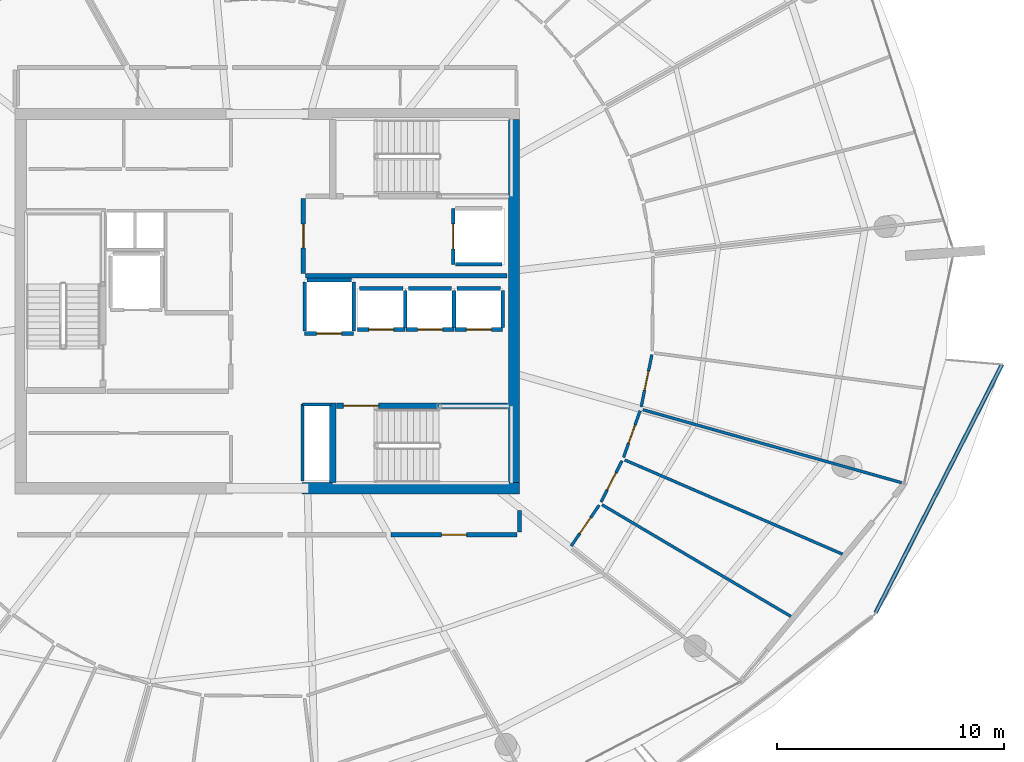
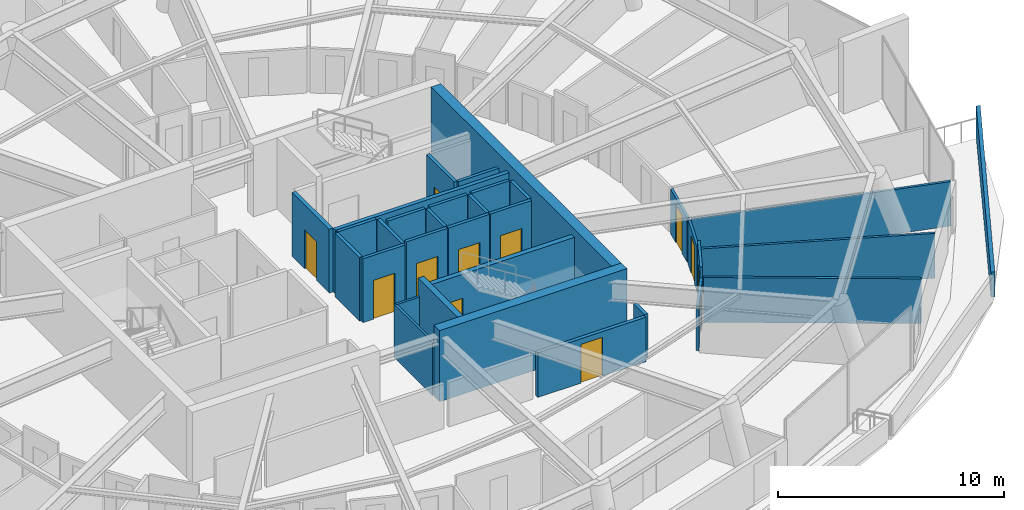
# One storey, part 20 of 30: 33 walls, 12 doors, 12 openings.
"""IFC4 building model written with IfcOpenShell, lengths in metres."""

from ifc_helpers import new_model, si_unit, direction, frame, frame_2d, origin, place, context, subcontext, project, spatial, polyline, rectangle, outline, extrude, material, layer, layer_set, type_object, element, fill, save


model = new_model("IFC4")

# Units and contexts
model_context = context("Model", 3, precision=1e-05, world=origin(), true_north=direction((0.0, 1.0)))
body_context = subcontext(model_context, "Body", "Model", "MODEL_VIEW")
ifc_project = project(units=[si_unit("LENGTHUNIT", "METRE"), si_unit("AREAUNIT", "SQUARE_METRE"), si_unit("VOLUMEUNIT", "CUBIC_METRE"), si_unit("PLANEANGLEUNIT", "RADIAN"), si_unit("MASSUNIT", "GRAM", prefix="KILO")], contexts=[model_context])

# Site, building, storey
site_placement = place(None, origin())
site = spatial("IfcSite", under=ifc_project, at=site_placement, CompositionType="ELEMENT")
building_placement = place(site_placement, origin())
building = spatial("IfcBuilding", under=site, at=building_placement, Name="Kazma Halo Residences", CompositionType="ELEMENT")
storey_placement = place(building_placement, frame((0.0, 0.0, 302.14990234375)))
storey = spatial("IfcBuildingStorey", under=building, at=storey_placement, Name="L76", CompositionType="ELEMENT", Elevation=302.14990234375)

# Walls
ifc_material_1 = material(Name="White Concrete C50/60 Balustrade", Category="concrete")
ifc_layer_1 = layer(ifc_material_1, 0.179931640625)
ifc_layer_set_1 = layer_set([ifc_layer_1], Name="White Concrete C50/60 Balustrade")
wall_type_1 = type_object("IfcWallType", Name="WL-BAL-WAVE-180", PredefinedType="PARAPET", material=ifc_layer_set_1)
wall_1_placement = place(storey_placement, frame((75.241943359375, 28.254150390625, 0.0), z_axis=(0.0, 0.0, 1.0), x_axis=(0.45375182612, 0.891128094211, 0.0)))
element("IfcWall", 1, at=wall_1_placement, inside=storey, type_object=wall_type_1, Name="L76 white wave balustrade wall SE.2", PredefinedType="PARAPET", context=body_context, shape_type="SweptSolid", body=[
    extrude(outline(polyline([(0.0, 0.0), (12.2998046875, 0.0), (12.2998046875, 1.7470703125), (6.14990234375, 1.56201171875), (0.0, 1.34814453125), (0.0, 0.0)])), frame((0.0, 0.08984375, 0.0), z_axis=(0.0, -1.0, 0.0), x_axis=(1.0, 0.0, 0.0)), (0.0, 0.0, 1.0), 0.179931640625),
])
ifc_material_2 = material(Name="Concrete C60/75", Category="concrete")
ifc_layer_2 = layer(ifc_material_2, 0.5)
ifc_layer_set_2 = layer_set([ifc_layer_2], Name="Concrete C60/75")
wall_type_2 = type_object("IfcWallType", Name="WL-CORE-500", PredefinedType="SHEAR", material=ifc_layer_set_2)
wall_2_placement = place(storey_placement, frame((49.949951171875, 33.75, 0.0), z_axis=(0.0, 0.0, 1.0), x_axis=(1.0, 0.0, 0.0)))
element("IfcWall", 2, at=wall_2_placement, inside=storey, type_object=wall_type_2, Name="L76 central core shear wall SE", PredefinedType="SHEAR", context=body_context, shape_type="SweptSolid", body=[
    extrude(rectangle(XDim=9.60009765625, YDim=0.5, at=frame_2d((4.800048828125, 0.0))), origin(), (0.0, 0.0, 1.0), 3.85009765625),
])
wall_3_placement = place(storey_placement, frame((59.300048828125, 34.0, 0.0), z_axis=(0.0, 0.0, 1.0), x_axis=(0.0, 1.0, 0.0)))
element("IfcWall", 3, at=wall_3_placement, inside=storey, type_object=wall_type_2, Name="L76 central core shear wall E", PredefinedType="SHEAR", context=body_context, shape_type="SweptSolid", body=[
    extrude(rectangle(XDim=16.0, YDim=0.5, at=frame_2d((8.0, 0.0))), origin(), (0.0, 0.0, 1.0), 3.85009765625),
])
ifc_layer_3 = layer(ifc_material_2, 0.280029296875)
ifc_layer_set_3 = layer_set([ifc_layer_3], Name="Concrete C60/75")
wall_type_3 = type_object("IfcWallType", Name="WL-CORE-ST-280", PredefinedType="SHEAR", material=ifc_layer_set_3)
wall_4_placement = place(storey_placement, frame((51.31005859375, 34.0, 0.0), z_axis=(0.0, 0.0, 1.0), x_axis=(0.0, 1.0, 0.0)))
element("IfcWall", 4, at=wall_4_placement, inside=storey, type_object=wall_type_3, Name="L76 stairwell bearing wall ST03-W", PredefinedType="SHEAR", context=body_context, shape_type="SweptSolid", body=[
    extrude(rectangle(XDim=3.5, YDim=0.280029296875, at=frame_2d((1.75, 0.0))), origin(), (0.0, 0.0, 1.0), 3.85009765625),
])

# Wall, opening, door
ifc_material_3 = material(Name="Acoustic Twin-Stud Gypsum")
ifc_layer_4 = layer(ifc_material_3, 0.179931640625)
ifc_layer_set_4 = layer_set([ifc_layer_4], Name="Acoustic Twin-Stud Gypsum")
wall_type_4 = type_object("IfcWallType", Name="WL-DEM-180", PredefinedType="PARTITIONING", material=ifc_layer_set_4)
wall_5_placement = place(storey_placement, frame((53.88818359375, 31.699951171875, 0.0), z_axis=(0.0, 0.0, 1.0), x_axis=(1.0, 0.0, 0.0)))
wall_5 = element("IfcWall", 5, at=wall_5_placement, inside=storey, type_object=wall_type_4, Name="L76 Apartment 2 entrance corridor wall", PredefinedType="PARTITIONING", context=body_context, shape_type="SweptSolid", body=[
    extrude(rectangle(XDim=5.541748046875, YDim=0.179931640625, at=frame_2d((2.77099609375, 0.0))), origin(), (0.0, 0.0, 1.0), 2.406982421875),
])
opening_1_placement = place(wall_5_placement, frame((2.220703125, 0.0, 0.0)))
opening_1 = element("IfcOpeningElement", 6, at=opening_1_placement, cuts=wall_5, Name="Opening DA-1100", PredefinedType="OPENING", context=body_context, shape_type="SweptSolid", body=[
    extrude(rectangle(XDim=1.10009765625, YDim=2.10009765625, at=frame_2d((0.550048828125, 1.050048828125))), frame((0.0, 0.099853515625, 0.0), z_axis=(0.0, -1.0, 0.0), x_axis=(1.0, 0.0, 0.0)), (0.0, 0.0, 1.0), 0.199951171875),
])
ifc_material_4 = material(Name="Acoustic Walnut Fire Leaf")
door_type_1 = type_object("IfcDoorType", Name="DR-FD60-1100", OperationType="NOTDEFINED", PredefinedType="DOOR", material=ifc_material_4)
door_1_placement = place(opening_1_placement, origin())
door_1 = element("IfcDoor", 7, at=door_1_placement, inside=storey, type_object=door_type_1, Name="L76 Apartment 2 entrance fire door", OperationType="SINGLE_SWING_LEFT", OverallHeight=2.10009765625, OverallWidth=1.10009765625, PredefinedType="DOOR", context=body_context, shape_type="SweptSolid", body=[
    extrude(rectangle(XDim=1.10009765625, YDim=2.10009765625, at=frame_2d((0.550048828125, 1.050048828125))), frame((0.0, 0.02490234375, 0.0), z_axis=(0.0, -1.0, 0.0), x_axis=(1.0, 0.0, 0.0)), (0.0, 0.0, 1.0), 0.050048828125),
])
fill(opening_1, door_1)

# Wall
wall_6_placement = place(storey_placement, frame((59.550048828125, 31.820068359375, 0.0), z_axis=(0.0, 0.0, 1.0), x_axis=(0.0, 1.0, 0.0)))
element("IfcWall", 8, at=wall_6_placement, inside=storey, type_object=wall_type_4, Name="L76 Apartment 2 entrance corridor wall", PredefinedType="PARTITIONING", context=body_context, shape_type="SweptSolid", body=[
    extrude(rectangle(XDim=0.95458984375, YDim=0.179931640625, at=frame_2d((0.477294921875, 0.0))), origin(), (0.0, 0.0, 1.0), 2.406982421875),
])

# Wall, opening, door
ifc_material_5 = material(Name="Fire-Rated Blockwork Masonry", Category="masonry")
ifc_layer_5 = layer(ifc_material_5, 0.199951171875)
ifc_layer_set_5 = layer_set([ifc_layer_5], Name="Fire-Rated Blockwork Masonry")
wall_type_5 = type_object("IfcWallType", Name="WL-FLB-200", PredefinedType="PARTITIONING", material=ifc_layer_set_5)
wall_7_placement = place(storey_placement, frame((54.5048828125, 40.7451171875, 0.0), z_axis=(0.0, 0.0, 1.0), x_axis=(-1.0, 0.0, 0.0)))
wall_7 = element("IfcWall", 9, at=wall_7_placement, inside=storey, type_object=wall_type_5, Name="L76 lift shaft PH-01 front wall", PredefinedType="PARTITIONING", context=body_context, shape_type="SweptSolid", body=[
    extrude(rectangle(XDim=2.10986328125, YDim=0.159912109375, at=frame_2d((1.054931640625, 0.0))), origin(), (0.0, 0.0, 1.0), 3.4501953125),
])
opening_2_placement = place(wall_7_placement, frame((0.5048828125, 0.0, 0.0)))
opening_2 = element("IfcOpeningElement", 10, at=opening_2_placement, cuts=wall_7, Name="Opening LD-PH-01", PredefinedType="OPENING", context=body_context, shape_type="SweptSolid", body=[
    extrude(rectangle(XDim=1.10009765625, YDim=2.10009765625, at=frame_2d((0.550048828125, 1.050048828125))), frame((0.0, 0.08984375, 0.0), z_axis=(0.0, -1.0, 0.0), x_axis=(1.0, 0.0, 0.0)), (0.0, 0.0, 1.0), 0.179931640625),
])
ifc_material_6 = material(Name="Stainless Steel Fire-Rated", Category="steel")
door_type_2 = type_object("IfcDoorType", Name="DR-LIFT-SLD-1100", OperationType="DOUBLE_DOOR_SLIDING", PredefinedType="DOOR", material=ifc_material_6)
door_2_placement = place(opening_2_placement, origin())
door_2 = element("IfcDoor", 11, at=door_2_placement, inside=storey, type_object=door_type_2, Name="L76 lift PH-01 sliding landing door", OperationType="DOUBLE_DOOR_SLIDING", OverallHeight=2.10009765625, OverallWidth=1.10009765625, PredefinedType="DOOR", context=body_context, shape_type="SweptSolid", body=[
    extrude(rectangle(XDim=1.10009765625, YDim=2.10009765625, at=frame_2d((0.550048828125, 1.050048828125))), frame((0.0, 0.02490234375, 0.0), z_axis=(0.0, -1.0, 0.0), x_axis=(1.0, 0.0, 0.0)), (0.0, 0.0, 1.0), 0.050048828125),
])
fill(opening_2, door_2)

# Walls
wall_8_placement = place(storey_placement, frame((54.5048828125, 40.844970703125, 0.0), z_axis=(0.0, 0.0, 1.0), x_axis=(0.0, 1.0, 0.0)))
element("IfcWall", 12, at=wall_8_placement, inside=storey, type_object=wall_type_5, Name="L76 lift shaft PH-01 side wall E", PredefinedType="PARTITIONING", context=body_context, shape_type="SweptSolid", body=[
    extrude(rectangle(XDim=1.610107421875, YDim=0.159912109375, at=frame_2d((0.80517578125, 0.0))), origin(), (0.0, 0.0, 1.0), 3.4501953125),
])
wall_9_placement = place(storey_placement, frame((52.4951171875, 42.554931640625, 0.0), z_axis=(0.0, 0.0, 1.0), x_axis=(1.0, 0.0, 0.0)))
element("IfcWall", 13, at=wall_9_placement, inside=storey, type_object=wall_type_5, Name="L76 lift shaft PH-01 side wall N", PredefinedType="PARTITIONING", context=body_context, shape_type="SweptSolid", body=[
    extrude(rectangle(XDim=1.909912109375, YDim=0.159912109375, at=frame_2d((0.955078125, 0.0))), origin(), (0.0, 0.0, 1.0), 3.4501953125),
])

# Wall, opening, door
wall_10_placement = place(storey_placement, frame((56.655029296875, 40.7451171875, 0.0), z_axis=(0.0, 0.0, 1.0), x_axis=(-1.0, 0.0, 0.0)))
wall_10 = element("IfcWall", 14, at=wall_10_placement, inside=storey, type_object=wall_type_5, Name="L76 lift shaft PH-02 front wall", PredefinedType="PARTITIONING", context=body_context, shape_type="SweptSolid", body=[
    extrude(rectangle(XDim=2.110107421875, YDim=0.159912109375, at=frame_2d((1.05517578125, 0.0))), origin(), (0.0, 0.0, 1.0), 3.4501953125),
])
opening_3_placement = place(wall_10_placement, frame((0.5048828125, 0.0, 0.0)))
opening_3 = element("IfcOpeningElement", 15, at=opening_3_placement, cuts=wall_10, Name="Opening LD-PH-02", PredefinedType="OPENING", context=body_context, shape_type="SweptSolid", body=[
    extrude(rectangle(XDim=1.10009765625, YDim=2.10009765625, at=frame_2d((0.550048828125, 1.050048828125))), frame((0.0, 0.08984375, 0.0), z_axis=(0.0, -1.0, 0.0), x_axis=(1.0, 0.0, 0.0)), (0.0, 0.0, 1.0), 0.179931640625),
])
door_3_placement = place(opening_3_placement, origin())
door_3 = element("IfcDoor", 16, at=door_3_placement, inside=storey, type_object=door_type_2, Name="L76 lift PH-02 sliding landing door", OperationType="DOUBLE_DOOR_SLIDING", OverallHeight=2.10009765625, OverallWidth=1.10009765625, PredefinedType="DOOR", context=body_context, shape_type="SweptSolid", body=[
    extrude(rectangle(XDim=1.10009765625, YDim=2.10009765625, at=frame_2d((0.550048828125, 1.050048828125))), frame((0.0, 0.02490234375, 0.0), z_axis=(0.0, -1.0, 0.0), x_axis=(1.0, 0.0, 0.0)), (0.0, 0.0, 1.0), 0.050048828125),
])
fill(opening_3, door_3)

# Walls
wall_11_placement = place(storey_placement, frame((56.655029296875, 40.844970703125, 0.0), z_axis=(0.0, 0.0, 1.0), x_axis=(0.0, 1.0, 0.0)))
element("IfcWall", 17, at=wall_11_placement, inside=storey, type_object=wall_type_5, Name="L76 lift shaft PH-02 side wall E", PredefinedType="PARTITIONING", context=body_context, shape_type="SweptSolid", body=[
    extrude(rectangle(XDim=1.610107421875, YDim=0.159912109375, at=frame_2d((0.80517578125, 0.0))), origin(), (0.0, 0.0, 1.0), 3.4501953125),
])
wall_12_placement = place(storey_placement, frame((54.64501953125, 42.554931640625, 0.0), z_axis=(0.0, 0.0, 1.0), x_axis=(1.0, 0.0, 0.0)))
element("IfcWall", 18, at=wall_12_placement, inside=storey, type_object=wall_type_5, Name="L76 lift shaft PH-02 side wall N", PredefinedType="PARTITIONING", context=body_context, shape_type="SweptSolid", body=[
    extrude(rectangle(XDim=1.909912109375, YDim=0.159912109375, at=frame_2d((0.955078125, 0.0))), origin(), (0.0, 0.0, 1.0), 3.4501953125),
])

# Wall, opening, door
wall_13_placement = place(storey_placement, frame((58.804931640625, 40.7451171875, 0.0), z_axis=(0.0, 0.0, 1.0), x_axis=(-1.0, 0.0, 0.0)))
wall_13 = element("IfcWall", 19, at=wall_13_placement, inside=storey, type_object=wall_type_5, Name="L76 lift shaft PH-03 front wall", PredefinedType="PARTITIONING", context=body_context, shape_type="SweptSolid", body=[
    extrude(rectangle(XDim=2.10986328125, YDim=0.159912109375, at=frame_2d((1.054931640625, 0.0))), origin(), (0.0, 0.0, 1.0), 3.4501953125),
])
opening_4_placement = place(wall_13_placement, frame((0.5048828125, 0.0, 0.0)))
opening_4 = element("IfcOpeningElement", 20, at=opening_4_placement, cuts=wall_13, Name="Opening LD-PH-03", PredefinedType="OPENING", context=body_context, shape_type="SweptSolid", body=[
    extrude(rectangle(XDim=1.10009765625, YDim=2.10009765625, at=frame_2d((0.550048828125, 1.050048828125))), frame((0.0, 0.08984375, 0.0), z_axis=(0.0, -1.0, 0.0), x_axis=(1.0, 0.0, 0.0)), (0.0, 0.0, 1.0), 0.179931640625),
])
door_4_placement = place(opening_4_placement, origin())
door_4 = element("IfcDoor", 21, at=door_4_placement, inside=storey, type_object=door_type_2, Name="L76 lift PH-03 sliding landing door", OperationType="DOUBLE_DOOR_SLIDING", OverallHeight=2.10009765625, OverallWidth=1.10009765625, PredefinedType="DOOR", context=body_context, shape_type="SweptSolid", body=[
    extrude(rectangle(XDim=1.10009765625, YDim=2.10009765625, at=frame_2d((0.550048828125, 1.050048828125))), frame((0.0, 0.02490234375, 0.0), z_axis=(0.0, -1.0, 0.0), x_axis=(1.0, 0.0, 0.0)), (0.0, 0.0, 1.0), 0.050048828125),
])
fill(opening_4, door_4)

# Walls
wall_14_placement = place(storey_placement, frame((58.804931640625, 40.844970703125, 0.0), z_axis=(0.0, 0.0, 1.0), x_axis=(0.0, 1.0, 0.0)))
element("IfcWall", 22, at=wall_14_placement, inside=storey, type_object=wall_type_5, Name="L76 lift shaft PH-03 side wall E", PredefinedType="PARTITIONING", context=body_context, shape_type="SweptSolid", body=[
    extrude(rectangle(XDim=1.610107421875, YDim=0.159912109375, at=frame_2d((0.80517578125, 0.0))), origin(), (0.0, 0.0, 1.0), 3.4501953125),
])
wall_15_placement = place(storey_placement, frame((56.794921875, 42.554931640625, 0.0), z_axis=(0.0, 0.0, 1.0), x_axis=(1.0, 0.0, 0.0)))
element("IfcWall", 23, at=wall_15_placement, inside=storey, type_object=wall_type_5, Name="L76 lift shaft PH-03 side wall N", PredefinedType="PARTITIONING", context=body_context, shape_type="SweptSolid", body=[
    extrude(rectangle(XDim=1.91015625, YDim=0.159912109375, at=frame_2d((0.955078125, 0.0))), origin(), (0.0, 0.0, 1.0), 3.4501953125),
])

# Wall, opening, door
wall_16_placement = place(storey_placement, frame((56.6201171875, 46.080078125, 0.0), z_axis=(0.0, 0.0, 1.0), x_axis=(0.0, -1.0, 0.0)))
wall_16 = element("IfcWall", 24, at=wall_16_placement, inside=storey, type_object=wall_type_5, Name="L76 lift shaft FL-02 front wall", PredefinedType="PARTITIONING", context=body_context, shape_type="SweptSolid", body=[
    extrude(rectangle(XDim=2.4599609375, YDim=0.159912109375, at=frame_2d((1.22998046875, 0.0))), origin(), (0.0, 0.0, 1.0), 3.4501953125),
])
opening_5_placement = place(wall_16_placement, frame((0.679931640625, 0.0, 0.0)))
opening_5 = element("IfcOpeningElement", 25, at=opening_5_placement, cuts=wall_16, Name="Opening LD-FL-02", PredefinedType="OPENING", context=body_context, shape_type="SweptSolid", body=[
    extrude(rectangle(XDim=1.10009765625, YDim=2.10009765625, at=frame_2d((0.550048828125, 1.050048828125))), frame((0.0, 0.08984375, 0.0), z_axis=(0.0, -1.0, 0.0), x_axis=(1.0, 0.0, 0.0)), (0.0, 0.0, 1.0), 0.179931640625),
])
door_5_placement = place(opening_5_placement, origin())
door_5 = element("IfcDoor", 26, at=door_5_placement, inside=storey, type_object=door_type_2, Name="L76 lift FL-02 sliding landing door", OperationType="DOUBLE_DOOR_SLIDING", OverallHeight=2.10009765625, OverallWidth=1.10009765625, PredefinedType="DOOR", context=body_context, shape_type="SweptSolid", body=[
    extrude(rectangle(XDim=1.10009765625, YDim=2.10009765625, at=frame_2d((0.550048828125, 1.050048828125))), frame((0.0, 0.02490234375, 0.0), z_axis=(0.0, -1.0, 0.0), x_axis=(1.0, 0.0, 0.0)), (0.0, 0.0, 1.0), 0.050048828125),
])
fill(opening_5, door_5)

# Wall
wall_17_placement = place(storey_placement, frame((56.719970703125, 43.6201171875, 0.0), z_axis=(0.0, 0.0, 1.0), x_axis=(1.0, 0.0, 0.0)))
element("IfcWall", 27, at=wall_17_placement, inside=storey, type_object=wall_type_5, Name="L76 lift shaft FL-02 side wall S", PredefinedType="PARTITIONING", context=body_context, shape_type="SweptSolid", body=[
    extrude(rectangle(XDim=2.06005859375, YDim=0.159912109375, at=frame_2d((1.030029296875, 0.0))), origin(), (0.0, 0.0, 1.0), 3.4501953125),
])

# Wall, opening, door
wall_18_placement = place(storey_placement, frame((52.22998046875, 40.570068359375, 0.0), z_axis=(0.0, 0.0, 1.0), x_axis=(-1.0, 0.0, 0.0)))
wall_18 = element("IfcWall", 28, at=wall_18_placement, inside=storey, type_object=wall_type_5, Name="L76 lift shaft SV-01 front wall", PredefinedType="PARTITIONING", context=body_context, shape_type="SweptSolid", body=[
    extrude(rectangle(XDim=2.159912109375, YDim=0.159912109375, at=frame_2d((1.080078125, 0.0))), origin(), (0.0, 0.0, 1.0), 3.4501953125),
])
opening_6_placement = place(wall_18_placement, frame((0.530029296875, 0.0, 0.0)))
opening_6 = element("IfcOpeningElement", 29, at=opening_6_placement, cuts=wall_18, Name="Opening LD-SV-01", PredefinedType="OPENING", context=body_context, shape_type="SweptSolid", body=[
    extrude(rectangle(XDim=1.10009765625, YDim=2.10009765625, at=frame_2d((0.550048828125, 1.050048828125))), frame((0.0, 0.08984375, 0.0), z_axis=(0.0, -1.0, 0.0), x_axis=(1.0, 0.0, 0.0)), (0.0, 0.0, 1.0), 0.179931640625),
])
door_6_placement = place(opening_6_placement, origin())
door_6 = element("IfcDoor", 30, at=door_6_placement, inside=storey, type_object=door_type_2, Name="L76 lift SV-01 sliding landing door", OperationType="DOUBLE_DOOR_SLIDING", OverallHeight=2.10009765625, OverallWidth=1.10009765625, PredefinedType="DOOR", context=body_context, shape_type="SweptSolid", body=[
    extrude(rectangle(XDim=1.10009765625, YDim=2.10009765625, at=frame_2d((0.550048828125, 1.050048828125))), frame((0.0, 0.02490234375, 0.0), z_axis=(0.0, -1.0, 0.0), x_axis=(1.0, 0.0, 0.0)), (0.0, 0.0, 1.0), 0.050048828125),
])
fill(opening_6, door_6)

# Walls
for number, where, z_axis, x_axis, name in (
    (31, (52.22998046875, 40.669921875, 0.0), (0.0, 0.0, 1.0), (0.0, 1.0, 0.0), "L76 lift shaft SV-01 side wall E"),
    (32, (50.070068359375, 40.669921875, 0.0), (0.0, 0.0, 1.0), (0.0, 1.0, 0.0), "L76 lift shaft SV-01 side wall W"),
):
    element("IfcWall", number, at=place(storey_placement, frame(where, z_axis=z_axis, x_axis=x_axis)), inside=storey, type_object=wall_type_5, Name=name, PredefinedType="PARTITIONING", context=body_context, shape_type="SweptSolid", body=[
        extrude(rectangle(XDim=2.16015625, YDim=0.159912109375, at=frame_2d((1.080078125, 0.0))), origin(), (0.0, 0.0, 1.0), 3.4501953125),
    ])
wall_19_placement = place(storey_placement, frame((50.169921875, 42.929931640625, 0.0), z_axis=(0.0, 0.0, 1.0), x_axis=(1.0, 0.0, 0.0)))
element("IfcWall", 33, at=wall_19_placement, inside=storey, type_object=wall_type_5, Name="L76 lift shaft SV-01 side wall N", PredefinedType="PARTITIONING", context=body_context, shape_type="SweptSolid", body=[
    extrude(rectangle(XDim=1.9599609375, YDim=0.159912109375, at=frame_2d((0.97998046875, 0.0))), origin(), (0.0, 0.0, 1.0), 3.4501953125),
])
wall_20_placement = place(storey_placement, frame((50.1201171875, 43.1201171875, 0.0), z_axis=(0.0, 0.0, 1.0), x_axis=(1.0, 0.0, 0.0)))
element("IfcWall", 34, at=wall_20_placement, inside=storey, type_object=wall_type_5, Name="L76 east firefighting lobby south smoke wall", PredefinedType="PARTITIONING", context=body_context, shape_type="SweptSolid", body=[
    extrude(rectangle(XDim=8.8798828125, YDim=0.199951171875, at=frame_2d((4.43994140625, 0.0))), origin(), (0.0, 0.0, 1.0), 3.4501953125),
])

# Wall, opening, door
wall_21_placement = place(storey_placement, frame((50.02001953125, 43.219970703125, 0.0), z_axis=(0.0, 0.0, 1.0), x_axis=(0.0, 1.0, 0.0)))
wall_21 = element("IfcWall", 35, at=wall_21_placement, inside=storey, type_object=wall_type_5, Name="L76 east firefighting lobby smoke wall", PredefinedType="PARTITIONING", context=body_context, shape_type="SweptSolid", body=[
    extrude(rectangle(XDim=3.300048828125, YDim=0.199951171875, at=frame_2d((1.64990234375, 0.0))), origin(), (0.0, 0.0, 1.0), 3.4501953125),
])
opening_7_placement = place(wall_21_placement, frame((1.125, 0.0, 0.0)))
opening_7 = element("IfcOpeningElement", 36, at=opening_7_placement, cuts=wall_21, Name="Opening D-FLE", PredefinedType="OPENING", context=body_context, shape_type="SweptSolid", body=[
    extrude(rectangle(XDim=1.050048828125, YDim=2.10009765625, at=frame_2d((0.52490234375, 1.050048828125))), frame((0.0, 0.10986328125, 0.0), z_axis=(0.0, -1.0, 0.0), x_axis=(1.0, 0.0, 0.0)), (0.0, 0.0, 1.0), 0.219970703125),
])
ifc_material_7 = material(Name="Fire-Rated Steel Leaf", Category="steel")
door_type_3 = type_object("IfcDoorType", Name="DR-FD90-1050", OperationType="NOTDEFINED", PredefinedType="DOOR", material=ifc_material_7)
door_7_placement = place(opening_7_placement, origin())
door_7 = element("IfcDoor", 37, at=door_7_placement, inside=storey, type_object=door_type_3, Name="L76 east firefighting lobby smoke door", OperationType="SINGLE_SWING_RIGHT", OverallHeight=2.10009765625, OverallWidth=1.050048828125, PredefinedType="DOOR", context=body_context, shape_type="SweptSolid", body=[
    extrude(rectangle(XDim=1.050048828125, YDim=2.10009765625, at=frame_2d((0.52490234375, 1.050048828125))), frame((0.0, 0.02490234375, 0.0), z_axis=(0.0, -1.0, 0.0), x_axis=(1.0, 0.0, 0.0)), (0.0, 0.0, 1.0), 0.050048828125),
])
fill(opening_7, door_7)

# Walls
ifc_material_8 = material(Name="Gypsum Plasterboard Partition")
ifc_layer_6 = layer(ifc_material_8, 0.125)
ifc_layer_set_6 = layer_set([ifc_layer_6], Name="Gypsum Plasterboard Partition")
wall_type_6 = type_object("IfcWallType", Name="WL-PART-125", PredefinedType="PARTITIONING", material=ifc_layer_set_6)
wall_22_placement = place(storey_placement, frame((49.97998046875, 34.06005859375, 0.0), z_axis=(0.0, 0.0, 1.0), x_axis=(0.0, 1.0, 0.0)))
element("IfcWall", 38, at=wall_22_placement, inside=storey, type_object=wall_type_6, Name="L76 standpipe riser wall", PredefinedType="PARTITIONING", context=body_context, shape_type="SweptSolid", body=[
    extrude(rectangle(XDim=3.39990234375, YDim=0.125, at=frame_2d((1.699951171875, 0.0))), origin(), (0.0, 0.0, 1.0), 2.89013671875),
])
wall_23_placement = place(storey_placement, frame((49.97998046875, 37.43994140625, 0.0), z_axis=(0.0, 0.0, 1.0), x_axis=(1.0, 0.0, 0.0)))
element("IfcWall", 39, at=wall_23_placement, inside=storey, type_object=wall_type_6, Name="L76 standpipe riser north wall", PredefinedType="PARTITIONING", context=body_context, shape_type="SweptSolid", body=[
    extrude(rectangle(XDim=1.260009765625, YDim=0.125, at=frame_2d((0.6298828125, 0.0))), origin(), (0.0, 0.0, 1.0), 2.89013671875),
])
wall_24_placement = place(storey_placement, frame((63.18017578125, 33.022705078125, 0.0), z_axis=(0.0, 0.0, 1.0), x_axis=(0.860726523095, -0.509067630517, 0.0)))
element("IfcWall", 40, at=wall_24_placement, inside=storey, type_object=wall_type_6, Name="L76 Apartment 2 bay wall 1 13", PredefinedType="PARTITIONING", context=body_context, shape_type="SweptSolid", body=[
    extrude(rectangle(XDim=9.675048828125, YDim=0.125, at=frame_2d((4.83740234375, 0.0))), origin(), (0.0, 0.0, 1.0), 2.425048828125),
])
wall_25_placement = place(storey_placement, frame((64.185546875, 34.995849609375, 0.0), z_axis=(0.0, 0.0, 1.0), x_axis=(0.917756293165, -0.397144037292, 0.0)))
element("IfcWall", 41, at=wall_25_placement, inside=storey, type_object=wall_type_6, Name="L76 Apartment 2 bay wall 2 13", PredefinedType="PARTITIONING", context=body_context, shape_type="SweptSolid", body=[
    extrude(rectangle(XDim=10.454345703125, YDim=0.125, at=frame_2d((5.22705078125, 0.0))), origin(), (0.0, 0.0, 1.0), 2.425048828125),
])

# Wall, opening, door
wall_26_placement = place(storey_placement, frame((61.824462890625, 31.203369140625, 0.0), z_axis=(0.0, 0.0, 1.0), x_axis=(0.565297740474, 0.824886940505, 0.0)))
wall_26 = element("IfcWall", 42, at=wall_26_placement, inside=storey, type_object=wall_type_6, Name="L76 Apartment 2 South Bedroom hall wall", PredefinedType="PARTITIONING", context=body_context, shape_type="SweptSolid", body=[
    extrude(rectangle(XDim=2.180908203125, YDim=0.125, at=frame_2d((1.09033203125, 0.0))), origin(), (0.0, 0.0, 1.0), 2.406982421875),
])
opening_8_placement = place(wall_26_placement, frame((0.66552734375, 0.0, 0.0)))
opening_8 = element("IfcOpeningElement", 43, at=opening_8_placement, cuts=wall_26, Name="Opening DB-900", PredefinedType="OPENING", context=body_context, shape_type="SweptSolid", body=[
    extrude(rectangle(XDim=0.85009765625, YDim=2.06005859375, at=frame_2d((0.425048828125, 1.030029296875))), frame((0.0, 0.072509765625, 0.0), z_axis=(0.0, -1.0, 0.0), x_axis=(1.0, 0.0, 0.0)), (0.0, 0.0, 1.0), 0.14501953125),
])
ifc_material_9 = material(Name="Moisture-Sealed Timber Leaf", Category="wood")
door_type_4 = type_object("IfcDoorType", Name="DR-BTH-900", OperationType="NOTDEFINED", PredefinedType="DOOR", material=ifc_material_9)
door_8_placement = place(opening_8_placement, origin())
door_8 = element("IfcDoor", 44, at=door_8_placement, inside=storey, type_object=door_type_4, Name="L76 Apartment 2 South Bedroom door", OperationType="SINGLE_SWING_LEFT", OverallHeight=2.06005859375, OverallWidth=0.85009765625, PredefinedType="DOOR", context=body_context, shape_type="SweptSolid", body=[
    extrude(rectangle(XDim=0.85009765625, YDim=2.06005859375, at=frame_2d((0.425048828125, 1.030029296875))), frame((0.0, 0.02490234375, 0.0), z_axis=(0.0, -1.0, 0.0), x_axis=(1.0, 0.0, 0.0)), (0.0, 0.0, 1.0), 0.050048828125),
])
fill(opening_8, door_8)

wall_27_placement = place(storey_placement, frame((63.138916015625, 33.1396484375, 0.0), z_axis=(0.0, 0.0, 1.0), x_axis=(0.454034960647, 0.890983868827, 0.0)))
wall_27 = element("IfcWall", 45, at=wall_27_placement, inside=storey, type_object=wall_type_6, Name="L76 Apartment 2 Inner Study hall wall", PredefinedType="PARTITIONING", context=body_context, shape_type="SweptSolid", body=[
    extrude(rectangle(XDim=2.043212890625, YDim=0.125, at=frame_2d((1.021484375, 0.0))), origin(), (0.0, 0.0, 1.0), 2.89013671875),
])
opening_9_placement = place(wall_27_placement, frame((0.5966796875, 0.0, 0.0)))
opening_9 = element("IfcOpeningElement", 46, at=opening_9_placement, cuts=wall_27, Name="Opening DB-900", PredefinedType="OPENING", context=body_context, shape_type="SweptSolid", body=[
    extrude(rectangle(XDim=0.85009765625, YDim=2.06005859375, at=frame_2d((0.425048828125, 1.030029296875))), frame((0.0, 0.072509765625, 0.0), z_axis=(0.0, -1.0, 0.0), x_axis=(1.0, 0.0, 0.0)), (0.0, 0.0, 1.0), 0.14501953125),
])
door_9_placement = place(opening_9_placement, origin())
door_9 = element("IfcDoor", 47, at=door_9_placement, inside=storey, type_object=door_type_4, Name="L76 Apartment 2 Inner Study door", OperationType="SINGLE_SWING_RIGHT", OverallHeight=2.06005859375, OverallWidth=0.85009765625, PredefinedType="DOOR", context=body_context, shape_type="SweptSolid", body=[
    extrude(rectangle(XDim=0.85009765625, YDim=2.06005859375, at=frame_2d((0.425048828125, 1.030029296875))), frame((0.0, 0.02490234375, 0.0), z_axis=(0.0, -1.0, 0.0), x_axis=(1.0, 0.0, 0.0)), (0.0, 0.0, 1.0), 0.050048828125),
])
fill(opening_9, door_9)

wall_28_placement = place(storey_placement, frame((64.129638671875, 35.10693359375, 0.0), z_axis=(0.0, 0.0, 1.0), x_axis=(0.335038376523, 0.942204482189, 0.0)))
wall_28 = element("IfcWall", 48, at=wall_28_placement, inside=storey, type_object=wall_type_6, Name="L76 Apartment 2 Outer Bedroom hall wall", PredefinedType="PARTITIONING", context=body_context, shape_type="SweptSolid", body=[
    extrude(rectangle(XDim=2.180908203125, YDim=0.125, at=frame_2d((1.09033203125, 0.0))), origin(), (0.0, 0.0, 1.0), 2.406982421875),
])
opening_10_placement = place(wall_28_placement, frame((0.66552734375, 0.0, 0.0)))
opening_10 = element("IfcOpeningElement", 49, at=opening_10_placement, cuts=wall_28, Name="Opening DB-900", PredefinedType="OPENING", context=body_context, shape_type="SweptSolid", body=[
    extrude(rectangle(XDim=0.85009765625, YDim=2.06005859375, at=frame_2d((0.425048828125, 1.030029296875))), frame((0.0, 0.072509765625, 0.0), z_axis=(0.0, -1.0, 0.0), x_axis=(1.0, 0.0, 0.0)), (0.0, 0.0, 1.0), 0.14501953125),
])
door_10_placement = place(opening_10_placement, origin())
door_10 = element("IfcDoor", 50, at=door_10_placement, inside=storey, type_object=door_type_4, Name="L76 Apartment 2 Outer Bedroom door", OperationType="SINGLE_SWING_LEFT", OverallHeight=2.06005859375, OverallWidth=0.85009765625, PredefinedType="DOOR", context=body_context, shape_type="SweptSolid", body=[
    extrude(rectangle(XDim=0.85009765625, YDim=2.06005859375, at=frame_2d((0.425048828125, 1.030029296875))), frame((0.0, 0.02490234375, 0.0), z_axis=(0.0, -1.0, 0.0), x_axis=(1.0, 0.0, 0.0)), (0.0, 0.0, 1.0), 0.050048828125),
])
fill(opening_10, door_10)

# Wall
wall_29_placement = place(storey_placement, frame((64.9833984375, 37.210205078125, 0.0), z_axis=(0.0, 0.0, 1.0), x_axis=(0.962453678557, -0.271445973691, 0.0)))
element("IfcWall", 51, at=wall_29_placement, inside=storey, type_object=wall_type_6, Name="L76 Apartment 2 radial partition 14", PredefinedType="PARTITIONING", context=body_context, shape_type="SweptSolid", body=[
    extrude(rectangle(XDim=11.849609375, YDim=0.125, at=frame_2d((5.9248046875, 0.0))), origin(), (0.0, 0.0, 1.0), 2.406982421875),
])

# Wall, opening, door
wall_30_placement = place(storey_placement, frame((64.9072265625, 37.335205078125, 0.0), z_axis=(0.0, 0.0, 1.0), x_axis=(0.201360200042, 0.979517263676, 0.0)))
wall_30 = element("IfcWall", 52, at=wall_30_placement, inside=storey, type_object=wall_type_6, Name="L76 Apartment 2 Corner Wine Pantry Store hall wall", PredefinedType="PARTITIONING", context=body_context, shape_type="SweptSolid", body=[
    extrude(rectangle(XDim=2.353271484375, YDim=0.125, at=frame_2d((1.1767578125, 0.0))), origin(), (0.0, 0.0, 1.0), 2.406982421875),
])
opening_11_placement = place(wall_30_placement, frame((0.751708984375, 0.0, 0.0)))
opening_11 = element("IfcOpeningElement", 53, at=opening_11_placement, cuts=wall_30, Name="Opening DB-900", PredefinedType="OPENING", context=body_context, shape_type="SweptSolid", body=[
    extrude(rectangle(XDim=0.85009765625, YDim=2.06005859375, at=frame_2d((0.425048828125, 1.030029296875))), frame((0.0, 0.072509765625, 0.0), z_axis=(0.0, -1.0, 0.0), x_axis=(1.0, 0.0, 0.0)), (0.0, 0.0, 1.0), 0.14501953125),
])
door_11_placement = place(opening_11_placement, origin())
door_11 = element("IfcDoor", 54, at=door_11_placement, inside=storey, type_object=door_type_4, Name="L76 Apartment 2 Corner Wine Pantry Store door", OperationType="SINGLE_SWING_LEFT", OverallHeight=2.06005859375, OverallWidth=0.85009765625, PredefinedType="DOOR", context=body_context, shape_type="SweptSolid", body=[
    extrude(rectangle(XDim=0.85009765625, YDim=2.06005859375, at=frame_2d((0.425048828125, 1.030029296875))), frame((0.0, 0.02490234375, 0.0), z_axis=(0.0, -1.0, 0.0), x_axis=(1.0, 0.0, 0.0)), (0.0, 0.0, 1.0), 0.050048828125),
])
fill(opening_11, door_11)

ifc_material_10 = material(Name="Concrete C50/60", Category="concrete")
ifc_layer_7 = layer(ifc_material_10, 0.25)
ifc_layer_set_7 = layer_set([ifc_layer_7], Name="Concrete C50/60")
wall_type_7 = type_object("IfcWallType", Name="WL-SHF-250", PredefinedType="SOLIDWALL", material=ifc_layer_set_7)
wall_31_placement = place(storey_placement, frame((51.47998046875, 37.3798828125, 0.0), z_axis=(0.0, 0.0, 1.0), x_axis=(1.0, 0.0, 0.0)))
wall_31 = element("IfcWall", 55, at=wall_31_placement, inside=storey, type_object=wall_type_7, Name="L76 exit stair ST-03 enclosure wall", PredefinedType="SOLIDWALL", context=body_context, shape_type="SweptSolid", body=[
    extrude(rectangle(XDim=7.5400390625, YDim=0.25, at=frame_2d((3.77001953125, 0.0))), origin(), (0.0, 0.0, 1.0), 3.4501953125),
])
opening_12_placement = place(wall_31_placement, frame((0.300048828125, 0.0, 0.0)))
opening_12 = element("IfcOpeningElement", 56, at=opening_12_placement, cuts=wall_31, Name="Opening D-ST3", PredefinedType="OPENING", context=body_context, shape_type="SweptSolid", body=[
    extrude(rectangle(XDim=1.550048828125, YDim=2.14990234375, at=frame_2d((0.77490234375, 1.074951171875))), frame((0.0, 0.135009765625, 0.0), z_axis=(0.0, -1.0, 0.0), x_axis=(1.0, 0.0, 0.0)), (0.0, 0.0, 1.0), 0.27001953125),
])
ifc_material_11 = material(Name="Fire-Rated Double Steel Leaf", Category="steel")
door_type_5 = type_object("IfcDoorType", Name="DR-FD90-1550", OperationType="NOTDEFINED", PredefinedType="DOOR", material=ifc_material_11)
door_12_placement = place(opening_12_placement, origin())
door_12 = element("IfcDoor", 57, at=door_12_placement, inside=storey, type_object=door_type_5, Name="L76 exit stair ST-03 fire door", OperationType="DOUBLE_DOOR_SINGLE_SWING", OverallHeight=2.14990234375, OverallWidth=1.550048828125, PredefinedType="DOOR", context=body_context, shape_type="SweptSolid", body=[
    extrude(rectangle(XDim=1.550048828125, YDim=2.14990234375, at=frame_2d((0.77490234375, 1.074951171875))), frame((0.0, 0.02490234375, 0.0), z_axis=(0.0, -1.0, 0.0), x_axis=(1.0, 0.0, 0.0)), (0.0, 0.0, 1.0), 0.050048828125),
])
fill(opening_12, door_12)

save(model, "model.ifc")
